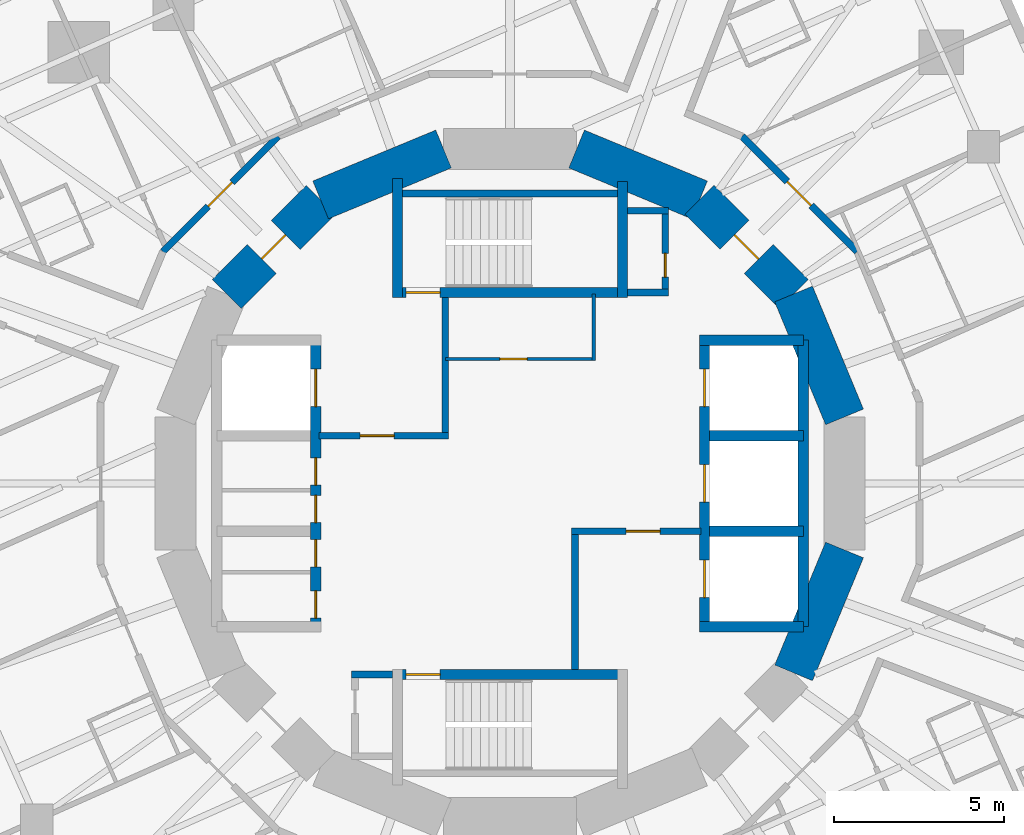
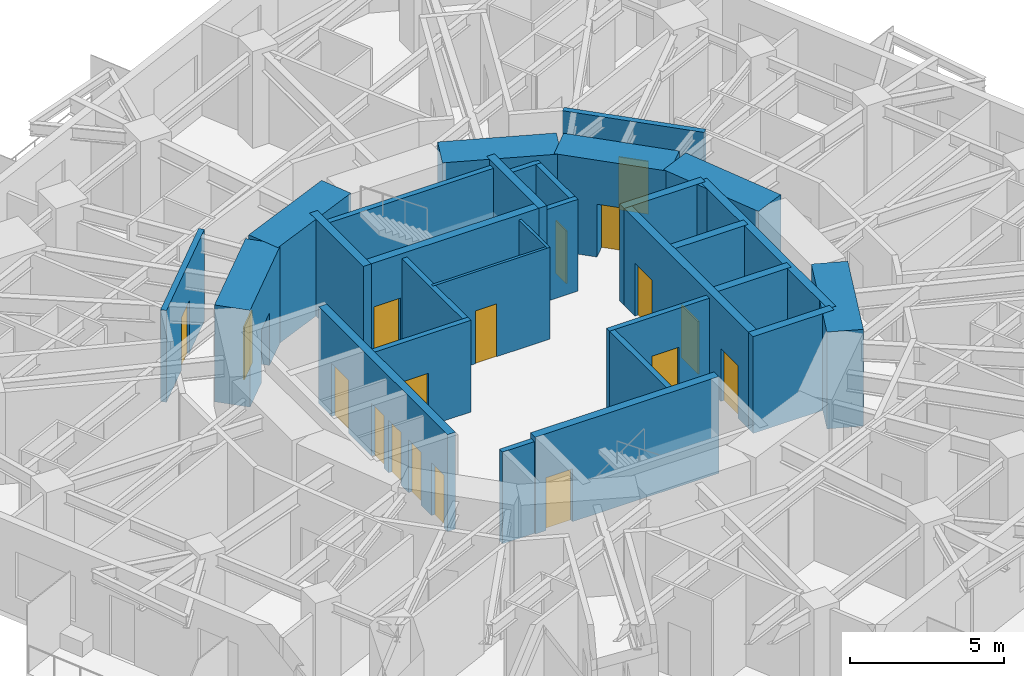
# One storey, part 7 of 12: 30 walls, 18 doors, 18 openings.
"""IFC4 building model written with IfcOpenShell, lengths in metres."""

from ifc_helpers import new_model, si_unit, direction, frame, frame_2d, origin, place, context, subcontext, project, spatial, rectangle, extrude, material, layer, layer_set, type_object, element, fill, save


model = new_model("IFC4")

# Units and contexts
model_context = context("Model", 3, precision=1e-05, world=origin(), true_north=direction((0.0, 1.0)))
body_context = subcontext(model_context, "Body", "Model", "MODEL_VIEW")
ifc_project = project(units=[si_unit("LENGTHUNIT", "METRE"), si_unit("AREAUNIT", "SQUARE_METRE"), si_unit("VOLUMEUNIT", "CUBIC_METRE"), si_unit("PLANEANGLEUNIT", "RADIAN"), si_unit("MASSUNIT", "GRAM", prefix="KILO")], contexts=[model_context])

# Site, building, storey
site_placement = place(None, origin())
site = spatial("IfcSite", under=ifc_project, at=site_placement, CompositionType="ELEMENT")
building_placement = place(site_placement, origin())
building = spatial("IfcBuilding", under=site, at=building_placement, Name="Nakasero Lantern House", CompositionType="ELEMENT")
storey_placement = place(building_placement, frame((0.0, 0.0, 197.85009765625)))
storey = spatial("IfcBuildingStorey", under=building, at=storey_placement, Name="L48", CompositionType="ELEMENT", Elevation=197.85009765625)

# Wall, openings, doors
ifc_material_1 = material(Name="Concrete C50/60", Category="concrete")
ifc_layer_1 = layer(ifc_material_1, 0.300048828125)
ifc_layer_set_1 = layer_set([ifc_layer_1], Name="Core inner wall 300")
wall_type_1 = type_object("IfcWallType", Name="Core inner wall 300", PredefinedType="SHEAR", material=ifc_layer_set_1)
wall_1_placement = place(storey_placement, frame((-5.699951171875, -4.199951171875, 0.0), z_axis=(0.0, 0.0, 1.0), x_axis=(0.0, 1.0, 0.0)))
wall_1 = element("IfcWall", 1, at=wall_1_placement, inside=storey, type_object=wall_type_1, Name="Core inner wall L48 LW", PredefinedType="SHEAR", context=body_context, shape_type="SweptSolid", body=[
    extrude(rectangle(XDim=8.39990234375, YDim=0.300048828125, at=frame_2d((4.199951171875, 0.0))), origin(), (0.0, 0.0, 1.0), 3.849853515625),
])
opening_1_placement = place(wall_1_placement, frame((0.25, 0.0, 0.0)))
opening_1 = element("IfcOpeningElement", 2, at=opening_1_placement, cuts=wall_1, Name="Opening D19", PredefinedType="OPENING", context=body_context, shape_type="SweptSolid", body=[
    extrude(rectangle(XDim=0.800048828125, YDim=2.10009765625, at=frame_2d((0.39990234375, 1.050048828125))), frame((0.0, 0.169921875, 0.0), z_axis=(0.0, -1.0, 0.0), x_axis=(1.0, 0.0, 0.0)), (0.0, 0.0, 1.0), 0.340087890625),
])
opening_2_placement = place(wall_1_placement, frame((1.75, 0.0, 0.0)))
opening_2 = element("IfcOpeningElement", 3, at=opening_2_placement, cuts=wall_1, Name="Opening D15", PredefinedType="OPENING", context=body_context, shape_type="SweptSolid", body=[
    extrude(rectangle(XDim=0.800048828125, YDim=2.10009765625, at=frame_2d((0.39990234375, 1.050048828125))), frame((0.0, 0.169921875, 0.0), z_axis=(0.0, -1.0, 0.0), x_axis=(1.0, 0.0, 0.0)), (0.0, 0.0, 1.0), 0.340087890625),
])
opening_3_placement = place(wall_1_placement, frame((3.050048828125, 0.0, 0.0)))
opening_3 = element("IfcOpeningElement", 4, at=opening_3_placement, cuts=wall_1, Name="Opening D15", PredefinedType="OPENING", context=body_context, shape_type="SweptSolid", body=[
    extrude(rectangle(XDim=0.800048828125, YDim=2.10009765625, at=frame_2d((0.39990234375, 1.050048828125))), frame((0.0, 0.169921875, 0.0), z_axis=(0.0, -1.0, 0.0), x_axis=(1.0, 0.0, 0.0)), (0.0, 0.0, 1.0), 0.340087890625),
])
opening_4_placement = place(wall_1_placement, frame((4.14990234375, 0.0, 0.0)))
opening_4 = element("IfcOpeningElement", 5, at=opening_4_placement, cuts=wall_1, Name="Opening D15", PredefinedType="OPENING", context=body_context, shape_type="SweptSolid", body=[
    extrude(rectangle(XDim=0.800048828125, YDim=2.10009765625, at=frame_2d((0.39990234375, 1.050048828125))), frame((0.0, 0.169921875, 0.0), z_axis=(0.0, -1.0, 0.0), x_axis=(1.0, 0.0, 0.0)), (0.0, 0.0, 1.0), 0.340087890625),
])
opening_5_placement = place(wall_1_placement, frame((6.449951171875, 0.0, 0.0)))
opening_5 = element("IfcOpeningElement", 6, at=opening_5_placement, cuts=wall_1, Name="Opening LD", PredefinedType="OPENING", context=body_context, shape_type="SweptSolid", body=[
    extrude(rectangle(XDim=1.10009765625, YDim=2.10009765625, at=frame_2d((0.550048828125, 1.050048828125))), frame((0.0, 0.169921875, 0.0), z_axis=(0.0, -1.0, 0.0), x_axis=(1.0, 0.0, 0.0)), (0.0, 0.0, 1.0), 0.340087890625),
])
ifc_material_2 = material(Name="Timber C24", Category="wood")
door_type_1 = type_object("IfcDoorType", Name="Cleaner's store door FD30S 800", OperationType="SINGLE_SWING_LEFT", PredefinedType="DOOR", material=ifc_material_2)
door_1_placement = place(opening_2_placement, origin())
door_1 = element("IfcDoor", 7, at=door_1_placement, inside=storey, type_object=door_type_1, Name="Door L48 D-SH-LW1b", OperationType="SINGLE_SWING_LEFT", OverallHeight=2.10009765625, OverallWidth=0.800048828125, PredefinedType="DOOR", context=body_context, shape_type="SweptSolid", body=[
    extrude(rectangle(XDim=0.800048828125, YDim=2.10009765625, at=frame_2d((0.39990234375, 1.050048828125))), frame((0.0, 0.02490234375, 0.0), z_axis=(0.0, -1.0, 0.0), x_axis=(1.0, 0.0, 0.0)), (0.0, 0.0, 1.0), 0.050048828125),
])
fill(opening_2, door_1)
door_2_placement = place(opening_3_placement, origin())
door_2 = element("IfcDoor", 8, at=door_2_placement, inside=storey, type_object=door_type_1, Name="Door L48 D-SH-LW2a", OperationType="SINGLE_SWING_LEFT", OverallHeight=2.10009765625, OverallWidth=0.800048828125, PredefinedType="DOOR", context=body_context, shape_type="SweptSolid", body=[
    extrude(rectangle(XDim=0.800048828125, YDim=2.10009765625, at=frame_2d((0.39990234375, 1.050048828125))), frame((0.0, 0.02490234375, 0.0), z_axis=(0.0, -1.0, 0.0), x_axis=(1.0, 0.0, 0.0)), (0.0, 0.0, 1.0), 0.050048828125),
])
fill(opening_3, door_2)
door_3_placement = place(opening_4_placement, origin())
door_3 = element("IfcDoor", 9, at=door_3_placement, inside=storey, type_object=door_type_1, Name="Door L48 D-SH-LW2b", OperationType="SINGLE_SWING_RIGHT", OverallHeight=2.10009765625, OverallWidth=0.800048828125, PredefinedType="DOOR", context=body_context, shape_type="SweptSolid", body=[
    extrude(rectangle(XDim=0.800048828125, YDim=2.10009765625, at=frame_2d((0.39990234375, 1.050048828125))), frame((0.0, 0.02490234375, 0.0), z_axis=(0.0, -1.0, 0.0), x_axis=(1.0, 0.0, 0.0)), (0.0, 0.0, 1.0), 0.050048828125),
])
fill(opening_4, door_3)
ifc_material_3 = material(Name="Steel S355", Category="steel")
door_type_2 = type_object("IfcDoorType", Name="Lift landing door E120 1100", OperationType="SLIDING_TO_LEFT", PredefinedType="DOOR", material=ifc_material_3)
door_4_placement = place(opening_5_placement, origin())
door_4 = element("IfcDoor", 10, at=door_4_placement, inside=storey, type_object=door_type_2, Name="Lift landing door LW3", OperationType="SLIDING_TO_LEFT", OverallHeight=2.10009765625, OverallWidth=1.10009765625, PredefinedType="DOOR", context=body_context, shape_type="SweptSolid", body=[
    extrude(rectangle(XDim=1.10009765625, YDim=2.10009765625, at=frame_2d((0.550048828125, 1.050048828125))), frame((0.0, 0.02490234375, 0.0), z_axis=(0.0, -1.0, 0.0), x_axis=(1.0, 0.0, 0.0)), (0.0, 0.0, 1.0), 0.050048828125),
])
fill(opening_5, door_4)
ifc_material_4 = material(Name="Steel S355", Category="steel")
door_type_3 = type_object("IfcDoorType", Name="Plant room door FD60 800", OperationType="SINGLE_SWING_LEFT", PredefinedType="DOOR", material=ifc_material_4)
door_5_placement = place(opening_1_placement, origin())
door_5 = element("IfcDoor", 11, at=door_5_placement, inside=storey, type_object=door_type_3, Name="Door L48 D-SH-LW1a", OperationType="SINGLE_SWING_LEFT", OverallHeight=2.10009765625, OverallWidth=0.800048828125, PredefinedType="DOOR", context=body_context, shape_type="SweptSolid", body=[
    extrude(rectangle(XDim=0.800048828125, YDim=2.10009765625, at=frame_2d((0.39990234375, 1.050048828125))), frame((0.0, 0.02490234375, 0.0), z_axis=(0.0, -1.0, 0.0), x_axis=(1.0, 0.0, 0.0)), (0.0, 0.0, 1.0), 0.050048828125),
])
fill(opening_1, door_5)

wall_2_placement = place(storey_placement, frame((5.699951171875, -4.199951171875, 0.0), z_axis=(0.0, 0.0, 1.0), x_axis=(0.0, 1.0, 0.0)))
wall_2 = element("IfcWall", 12, at=wall_2_placement, inside=storey, type_object=wall_type_1, Name="Core inner wall L48 LE", PredefinedType="SHEAR", context=body_context, shape_type="SweptSolid", body=[
    extrude(rectangle(XDim=8.39990234375, YDim=0.300048828125, at=frame_2d((4.199951171875, 0.0))), origin(), (0.0, 0.0, 1.0), 3.849853515625),
])
opening_6_placement = place(wall_2_placement, frame((0.85009765625, 0.0, 0.0)))
opening_6 = element("IfcOpeningElement", 13, at=opening_6_placement, cuts=wall_2, Name="Opening LD", PredefinedType="OPENING", context=body_context, shape_type="SweptSolid", body=[
    extrude(rectangle(XDim=1.10009765625, YDim=2.10009765625, at=frame_2d((0.550048828125, 1.050048828125))), frame((0.0, 0.169921875, 0.0), z_axis=(0.0, -1.0, 0.0), x_axis=(1.0, 0.0, 0.0)), (0.0, 0.0, 1.0), 0.340087890625),
])
opening_7_placement = place(wall_2_placement, frame((3.64990234375, 0.0, 0.0)))
opening_7 = element("IfcOpeningElement", 14, at=opening_7_placement, cuts=wall_2, Name="Opening LD", PredefinedType="OPENING", context=body_context, shape_type="SweptSolid", body=[
    extrude(rectangle(XDim=1.10009765625, YDim=2.10009765625, at=frame_2d((0.550048828125, 1.050048828125))), frame((0.0, 0.169921875, 0.0), z_axis=(0.0, -1.0, 0.0), x_axis=(1.0, 0.0, 0.0)), (0.0, 0.0, 1.0), 0.340087890625),
])
opening_8_placement = place(wall_2_placement, frame((6.449951171875, 0.0, 0.0)))
opening_8 = element("IfcOpeningElement", 15, at=opening_8_placement, cuts=wall_2, Name="Opening LD", PredefinedType="OPENING", context=body_context, shape_type="SweptSolid", body=[
    extrude(rectangle(XDim=1.10009765625, YDim=2.10009765625, at=frame_2d((0.550048828125, 1.050048828125))), frame((0.0, 0.169921875, 0.0), z_axis=(0.0, -1.0, 0.0), x_axis=(1.0, 0.0, 0.0)), (0.0, 0.0, 1.0), 0.340087890625),
])
door_6_placement = place(opening_6_placement, origin())
door_6 = element("IfcDoor", 16, at=door_6_placement, inside=storey, type_object=door_type_2, Name="Lift landing door LE1", OperationType="SLIDING_TO_LEFT", OverallHeight=2.10009765625, OverallWidth=1.10009765625, PredefinedType="DOOR", context=body_context, shape_type="SweptSolid", body=[
    extrude(rectangle(XDim=1.10009765625, YDim=2.10009765625, at=frame_2d((0.550048828125, 1.050048828125))), frame((0.0, 0.02490234375, 0.0), z_axis=(0.0, -1.0, 0.0), x_axis=(1.0, 0.0, 0.0)), (0.0, 0.0, 1.0), 0.050048828125),
])
fill(opening_6, door_6)
door_7_placement = place(opening_7_placement, origin())
door_7 = element("IfcDoor", 17, at=door_7_placement, inside=storey, type_object=door_type_2, Name="Lift landing door LE2", OperationType="SLIDING_TO_LEFT", OverallHeight=2.10009765625, OverallWidth=1.10009765625, PredefinedType="DOOR", context=body_context, shape_type="SweptSolid", body=[
    extrude(rectangle(XDim=1.10009765625, YDim=2.10009765625, at=frame_2d((0.550048828125, 1.050048828125))), frame((0.0, 0.02490234375, 0.0), z_axis=(0.0, -1.0, 0.0), x_axis=(1.0, 0.0, 0.0)), (0.0, 0.0, 1.0), 0.050048828125),
])
fill(opening_7, door_7)
door_8_placement = place(opening_8_placement, origin())
door_8 = element("IfcDoor", 18, at=door_8_placement, inside=storey, type_object=door_type_2, Name="Lift landing door LE3", OperationType="SLIDING_TO_LEFT", OverallHeight=2.10009765625, OverallWidth=1.10009765625, PredefinedType="DOOR", context=body_context, shape_type="SweptSolid", body=[
    extrude(rectangle(XDim=1.10009765625, YDim=2.10009765625, at=frame_2d((0.550048828125, 1.050048828125))), frame((0.0, 0.02490234375, 0.0), z_axis=(0.0, -1.0, 0.0), x_axis=(1.0, 0.0, 0.0)), (0.0, 0.0, 1.0), 0.050048828125),
])
fill(opening_8, door_8)

# Walls
for number, where, z_axis, x_axis, name in (
    (19, (5.550048828125, 4.199951171875, 0.0), (0.0, 0.0, 1.0), (1.0, 0.0, 0.0), "Core inner wall L48 LEN"),
    (20, (5.550048828125, -4.199951171875, 0.0), (0.0, 0.0, 1.0), (1.0, 0.0, 0.0), "Core inner wall L48 LES"),
):
    element("IfcWall", number, at=place(storey_placement, frame(where, z_axis=z_axis, x_axis=x_axis)), inside=storey, type_object=wall_type_1, Name=name, PredefinedType="SHEAR", context=body_context, shape_type="SweptSolid", body=[
        extrude(rectangle(XDim=3.050048828125, YDim=0.300048828125, at=frame_2d((1.52490234375, 0.0))), origin(), (0.0, 0.0, 1.0), 3.849853515625),
    ])
wall_3_placement = place(storey_placement, frame((8.60009765625, -4.199951171875, 0.0), z_axis=(0.0, 0.0, 1.0), x_axis=(0.0, 1.0, 0.0)))
element("IfcWall", 21, at=wall_3_placement, inside=storey, type_object=wall_type_1, Name="Core inner wall L48 LEB", PredefinedType="SHEAR", context=body_context, shape_type="SweptSolid", body=[
    extrude(rectangle(XDim=8.39990234375, YDim=0.300048828125, at=frame_2d((4.199951171875, 0.0))), origin(), (0.0, 0.0, 1.0), 3.849853515625),
])
for number, where, z_axis, x_axis, name in (
    (22, (5.85009765625, -1.39990234375, 0.0), (0.0, 0.0, 1.0), (1.0, 0.0, 0.0), "Core inner wall L48 LE1"),
    (23, (5.85009765625, 1.39990234375, 0.0), (0.0, 0.0, 1.0), (1.0, 0.0, 0.0), "Core inner wall L48 LE2"),
):
    element("IfcWall", number, at=place(storey_placement, frame(where, z_axis=z_axis, x_axis=x_axis)), inside=storey, type_object=wall_type_1, Name=name, PredefinedType="SHEAR", context=body_context, shape_type="SweptSolid", body=[
        extrude(rectangle(XDim=2.75, YDim=0.300048828125, at=frame_2d((1.375, 0.0))), origin(), (0.0, 0.0, 1.0), 3.849853515625),
    ])

# Wall, opening, door
wall_4_placement = place(storey_placement, frame((-3.449951171875, 5.60009765625, 0.0), z_axis=(0.0, 0.0, 1.0), x_axis=(1.0, 0.0, 0.0)))
wall_4 = element("IfcWall", 24, at=wall_4_placement, inside=storey, type_object=wall_type_1, Name="Core inner wall L48 SN", PredefinedType="SHEAR", context=body_context, shape_type="SweptSolid", body=[
    extrude(rectangle(XDim=6.89990234375, YDim=0.300048828125, at=frame_2d((3.449951171875, 0.0))), origin(), (0.0, 0.0, 1.0), 3.849853515625),
])
opening_9_placement = place(wall_4_placement, frame((0.39990234375, 0.0, 0.0)))
opening_9 = element("IfcOpeningElement", 25, at=opening_9_placement, cuts=wall_4, Name="Opening D05", PredefinedType="OPENING", context=body_context, shape_type="SweptSolid", body=[
    extrude(rectangle(XDim=1.0, YDim=2.10009765625, at=frame_2d((0.5, 1.050048828125))), frame((0.0, 0.169921875, 0.0), z_axis=(0.0, -1.0, 0.0), x_axis=(1.0, 0.0, 0.0)), (0.0, 0.0, 1.0), 0.340087890625),
])
ifc_material_5 = material(Name="Timber C24", Category="wood")
door_type_4 = type_object("IfcDoorType", Name="Core door FD60S 1000", OperationType="SINGLE_SWING_LEFT", PredefinedType="DOOR", material=ifc_material_5)
door_9_placement = place(opening_9_placement, origin())
door_9 = element("IfcDoor", 26, at=door_9_placement, inside=storey, type_object=door_type_4, Name="Door L48 D-ST1", OperationType="SINGLE_SWING_LEFT", OverallHeight=2.10009765625, OverallWidth=1.0, PredefinedType="DOOR", context=body_context, shape_type="SweptSolid", body=[
    extrude(rectangle(XDim=1.0, YDim=2.10009765625, at=frame_2d((0.5, 1.050048828125))), frame((0.0, 0.02490234375, 0.0), z_axis=(0.0, -1.0, 0.0), x_axis=(1.0, 0.0, 0.0)), (0.0, 0.0, 1.0), 0.050048828125),
])
fill(opening_9, door_9)

# Walls
wall_5_placement = place(storey_placement, frame((-3.300048828125, 5.449951171875, 0.0), z_axis=(0.0, 0.0, 1.0), x_axis=(0.0, 1.0, 0.0)))
element("IfcWall", 27, at=wall_5_placement, inside=storey, type_object=wall_type_1, Name="Core inner wall L48 SNW", PredefinedType="SHEAR", context=body_context, shape_type="SweptSolid", body=[
    extrude(rectangle(XDim=3.5, YDim=0.300048828125, at=frame_2d((1.75, 0.0))), origin(), (0.0, 0.0, 1.0), 3.849853515625),
])
wall_6_placement = place(storey_placement, frame((3.300048828125, 5.449951171875, 0.0), z_axis=(0.0, 0.0, 1.0), x_axis=(0.0, 1.0, 0.0)))
element("IfcWall", 28, at=wall_6_placement, inside=storey, type_object=wall_type_1, Name="Core inner wall L48 SNE", PredefinedType="SHEAR", context=body_context, shape_type="SweptSolid", body=[
    extrude(rectangle(XDim=3.400146484375, YDim=0.300048828125, at=frame_2d((1.7001953125, 0.0))), origin(), (0.0, 0.0, 1.0), 3.849853515625),
])

# Wall, opening, door
wall_7_placement = place(storey_placement, frame((-3.449951171875, -5.60009765625, 0.0), z_axis=(0.0, 0.0, 1.0), x_axis=(1.0, 0.0, 0.0)))
wall_7 = element("IfcWall", 29, at=wall_7_placement, inside=storey, type_object=wall_type_1, Name="Core inner wall L48 SS", PredefinedType="SHEAR", context=body_context, shape_type="SweptSolid", body=[
    extrude(rectangle(XDim=6.89990234375, YDim=0.300048828125, at=frame_2d((3.449951171875, 0.0))), origin(), (0.0, 0.0, 1.0), 3.849853515625),
])
opening_10_placement = place(wall_7_placement, frame((0.39990234375, 0.0, 0.0)))
opening_10 = element("IfcOpeningElement", 30, at=opening_10_placement, cuts=wall_7, Name="Opening D05", PredefinedType="OPENING", context=body_context, shape_type="SweptSolid", body=[
    extrude(rectangle(XDim=1.0, YDim=2.10009765625, at=frame_2d((0.5, 1.050048828125))), frame((0.0, 0.169921875, 0.0), z_axis=(0.0, -1.0, 0.0), x_axis=(1.0, 0.0, 0.0)), (0.0, 0.0, 1.0), 0.340087890625),
])
door_10_placement = place(opening_10_placement, origin())
door_10 = element("IfcDoor", 31, at=door_10_placement, inside=storey, type_object=door_type_4, Name="Door L48 D-ST2", OperationType="SINGLE_SWING_LEFT", OverallHeight=2.10009765625, OverallWidth=1.0, PredefinedType="DOOR", context=body_context, shape_type="SweptSolid", body=[
    extrude(rectangle(XDim=1.0, YDim=2.10009765625, at=frame_2d((0.5, 1.050048828125))), frame((0.0, 0.02490234375, 0.0), z_axis=(0.0, -1.0, 0.0), x_axis=(1.0, 0.0, 0.0)), (0.0, 0.0, 1.0), 0.050048828125),
])
fill(opening_10, door_10)

ifc_material_6 = material(Name="Blockwork", Category="masonry")
ifc_layer_2 = layer(ifc_material_6, 0.10009765625)
ifc_layer_set_2 = layer_set([ifc_layer_2], Name="Core room wall 100")
wall_type_2 = type_object("IfcWallType", Name="Core room wall 100", PredefinedType="PARTITIONING", material=ifc_layer_set_2)
wall_8_placement = place(storey_placement, frame((-1.89990234375, 3.64990234375, 0.0), z_axis=(0.0, 0.0, 1.0), x_axis=(1.0, 0.0, 0.0)))
wall_8 = element("IfcWall", 32, at=wall_8_placement, inside=storey, type_object=wall_type_2, Name="Core room wall L48 CR-NES", PredefinedType="PARTITIONING", context=body_context, shape_type="SweptSolid", body=[
    extrude(rectangle(XDim=4.39990234375, YDim=0.10009765625, at=frame_2d((2.199951171875, 0.0))), origin(), (0.0, 0.0, 1.0), 3.64990234375),
])
opening_11_placement = place(wall_8_placement, frame((1.60009765625, 0.0, 0.0)))
opening_11 = element("IfcOpeningElement", 33, at=opening_11_placement, cuts=wall_8, Name="Opening D15", PredefinedType="OPENING", context=body_context, shape_type="SweptSolid", body=[
    extrude(rectangle(XDim=0.800048828125, YDim=2.10009765625, at=frame_2d((0.39990234375, 1.050048828125))), frame((0.0, 0.070068359375, 0.0), z_axis=(0.0, -1.0, 0.0), x_axis=(1.0, 0.0, 0.0)), (0.0, 0.0, 1.0), 0.14013671875),
])
door_11_placement = place(opening_11_placement, origin())
door_11 = element("IfcDoor", 34, at=door_11_placement, inside=storey, type_object=door_type_1, Name="Door L48 D-CR-NE", OperationType="SINGLE_SWING_LEFT", OverallHeight=2.10009765625, OverallWidth=0.800048828125, PredefinedType="DOOR", context=body_context, shape_type="SweptSolid", body=[
    extrude(rectangle(XDim=0.800048828125, YDim=2.10009765625, at=frame_2d((0.39990234375, 1.050048828125))), frame((0.0, 0.02490234375, 0.0), z_axis=(0.0, -1.0, 0.0), x_axis=(1.0, 0.0, 0.0)), (0.0, 0.0, 1.0), 0.050048828125),
])
fill(opening_11, door_11)

# Walls
wall_9_placement = place(storey_placement, frame((2.449951171875, 3.60009765625, 0.0), z_axis=(0.0, 0.0, 1.0), x_axis=(0.0, 1.0, 0.0)))
element("IfcWall", 35, at=wall_9_placement, inside=storey, type_object=wall_type_2, Name="Core room wall L48 CR-NEE", PredefinedType="PARTITIONING", context=body_context, shape_type="SweptSolid", body=[
    extrude(rectangle(XDim=1.949951171875, YDim=0.10009765625, at=frame_2d((0.97509765625, 0.0))), origin(), (0.0, 0.0, 1.0), 3.64990234375),
])
ifc_material_7 = material(Name="Concrete C50/60", Category="concrete")
ifc_layer_3 = layer(ifc_material_7, 1.199951171875)
ifc_layer_set_3 = layer_set([ifc_layer_3], Name="Core wall 1200")
wall_type_3 = type_object("IfcWallType", Name="Core wall 1200", PredefinedType="SHEAR", material=ifc_layer_set_3)
wall_10_placement = place(storey_placement, frame((9.807861328125, 1.950927734375, 0.0), z_axis=(0.0, 0.0, 1.0), x_axis=(-0.382690736062, 0.923876507187, 0.0)))
element("IfcWall", 36, at=wall_10_placement, inside=storey, type_object=wall_type_3, Name="Core wall L48 facet 1", PredefinedType="SHEAR", context=body_context, shape_type="SweptSolid", body=[
    extrude(rectangle(XDim=3.90185546875, YDim=1.199951171875, at=frame_2d((1.950927734375, 0.0))), origin(), (0.0, 0.0, 1.0), 3.849853515625),
])

# Wall, opening, door
wall_11_placement = place(storey_placement, frame((8.314697265625, 5.5556640625, 0.0), z_axis=(0.0, 0.0, 1.0), x_axis=(-0.707106781187, 0.707106781187, 0.0)))
wall_11 = element("IfcWall", 37, at=wall_11_placement, inside=storey, type_object=wall_type_3, Name="Core wall L48 facet 2", PredefinedType="SHEAR", context=body_context, shape_type="SweptSolid", body=[
    extrude(rectangle(XDim=3.90185546875, YDim=1.199951171875, at=frame_2d((1.950927734375, 0.0))), origin(), (0.0, 0.0, 1.0), 3.849853515625),
])
opening_12_placement = place(wall_11_placement, frame((1.450927734375, 0.0, 0.0)))
opening_12 = element("IfcOpeningElement", 38, at=opening_12_placement, cuts=wall_11, Name="Opening D05", PredefinedType="OPENING", context=body_context, shape_type="SweptSolid", body=[
    extrude(rectangle(XDim=1.0, YDim=2.10009765625, at=frame_2d((0.5, 1.050048828125))), frame((0.0, 0.619873046875, 0.0), z_axis=(0.0, -1.0, 0.0), x_axis=(1.0, 0.0, 0.0)), (0.0, 0.0, 1.0), 1.239990234375),
])
door_12_placement = place(opening_12_placement, origin())
door_12 = element("IfcDoor", 39, at=door_12_placement, inside=storey, type_object=door_type_4, Name="Door L48 D-CORE02", OperationType="SINGLE_SWING_LEFT", OverallHeight=2.10009765625, OverallWidth=1.0, PredefinedType="DOOR", context=body_context, shape_type="SweptSolid", body=[
    extrude(rectangle(XDim=1.0, YDim=2.10009765625, at=frame_2d((0.5, 1.050048828125))), frame((0.0, 0.02490234375, 0.0), z_axis=(0.0, -1.0, 0.0), x_axis=(1.0, 0.0, 0.0)), (0.0, 0.0, 1.0), 0.050048828125),
])
fill(opening_12, door_12)

# Walls
for number, where, z_axis, x_axis, name in (
    (40, (5.5556640625, 8.314697265625, 0.0), (0.0, 0.0, 1.0), (-0.923876507187, 0.382690736062, 0.0), "Core wall L48 facet 3"),
    (41, (-1.950927734375, 9.807861328125, 0.0), (0.0, 0.0, 1.0), (-0.923876507187, -0.382690736062, 0.0), "Core wall L48 facet 5"),
):
    element("IfcWall", number, at=place(storey_placement, frame(where, z_axis=z_axis, x_axis=x_axis)), inside=storey, type_object=wall_type_3, Name=name, PredefinedType="SHEAR", context=body_context, shape_type="SweptSolid", body=[
        extrude(rectangle(XDim=3.90185546875, YDim=1.199951171875, at=frame_2d((1.950927734375, 0.0))), origin(), (0.0, 0.0, 1.0), 3.849853515625),
    ])

# Wall, opening, door
wall_12_placement = place(storey_placement, frame((-5.5556640625, 8.314697265625, 0.0), z_axis=(0.0, 0.0, 1.0), x_axis=(-0.707106781187, -0.707106781187, 0.0)))
wall_12 = element("IfcWall", 42, at=wall_12_placement, inside=storey, type_object=wall_type_3, Name="Core wall L48 facet 6", PredefinedType="SHEAR", context=body_context, shape_type="SweptSolid", body=[
    extrude(rectangle(XDim=3.90185546875, YDim=1.199951171875, at=frame_2d((1.950927734375, 0.0))), origin(), (0.0, 0.0, 1.0), 3.849853515625),
])
opening_13_placement = place(wall_12_placement, frame((1.450927734375, 0.0, 0.0)))
opening_13 = element("IfcOpeningElement", 43, at=opening_13_placement, cuts=wall_12, Name="Opening D05", PredefinedType="OPENING", context=body_context, shape_type="SweptSolid", body=[
    extrude(rectangle(XDim=1.0, YDim=2.10009765625, at=frame_2d((0.5, 1.050048828125))), frame((0.0, 0.619873046875, 0.0), z_axis=(0.0, -1.0, 0.0), x_axis=(1.0, 0.0, 0.0)), (0.0, 0.0, 1.0), 1.239990234375),
])
door_13_placement = place(opening_13_placement, origin())
door_13 = element("IfcDoor", 44, at=door_13_placement, inside=storey, type_object=door_type_4, Name="Door L48 D-CORE06", OperationType="SINGLE_SWING_LEFT", OverallHeight=2.10009765625, OverallWidth=1.0, PredefinedType="DOOR", context=body_context, shape_type="SweptSolid", body=[
    extrude(rectangle(XDim=1.0, YDim=2.10009765625, at=frame_2d((0.5, 1.050048828125))), frame((0.0, 0.02490234375, 0.0), z_axis=(0.0, -1.0, 0.0), x_axis=(1.0, 0.0, 0.0)), (0.0, 0.0, 1.0), 0.050048828125),
])
fill(opening_13, door_13)

# Wall
wall_13_placement = place(storey_placement, frame((8.314697265625, -5.5556640625, 0.0), z_axis=(0.0, 0.0, 1.0), x_axis=(0.382690736062, 0.923876507187, 0.0)))
element("IfcWall", 45, at=wall_13_placement, inside=storey, type_object=wall_type_3, Name="Core wall L48 facet 15", PredefinedType="SHEAR", context=body_context, shape_type="SweptSolid", body=[
    extrude(rectangle(XDim=3.90185546875, YDim=1.199951171875, at=frame_2d((1.950927734375, 0.0))), origin(), (0.0, 0.0, 1.0), 3.849853515625),
])

# Wall, opening, door
ifc_material_8 = material(Name="Blockwork", Category="masonry")
ifc_layer_4 = layer(ifc_material_8, 0.199951171875)
ifc_layer_set_4 = layer_set([ifc_layer_4], Name="Corridor wall 200")
wall_type_4 = type_object("IfcWallType", Name="Corridor wall 200", PredefinedType="PARTITIONING", material=ifc_layer_set_4)
wall_14_placement = place(storey_placement, frame((-10.1796875, 6.802001953125, 0.0), z_axis=(0.0, 0.0, 1.0), x_axis=(0.707106781187, 0.707106781187, 0.0)))
wall_14 = element("IfcWall", 46, at=wall_14_placement, inside=storey, type_object=wall_type_4, Name="Corridor wall L48 RC10a", PredefinedType="PARTITIONING", context=body_context, shape_type="SweptSolid", body=[
    extrude(rectangle(XDim=4.77685546875, YDim=0.199951171875, at=frame_2d((2.388427734375, 0.0))), origin(), (0.0, 0.0, 1.0), 3.64990234375),
])
opening_14_placement = place(wall_14_placement, frame((1.8701171875, 0.0, 0.0)))
opening_14 = element("IfcOpeningElement", 47, at=opening_14_placement, cuts=wall_14, Name="Opening D14", PredefinedType="OPENING", context=body_context, shape_type="SweptSolid", body=[
    extrude(rectangle(XDim=1.0, YDim=2.10009765625, at=frame_2d((0.5, 1.050048828125))), frame((0.0, 0.119873046875, 0.0), z_axis=(0.0, -1.0, 0.0), x_axis=(1.0, 0.0, 0.0)), (0.0, 0.0, 1.0), 0.239990234375),
])
ifc_material_9 = material(Name="Timber C24", Category="wood")
door_type_5 = type_object("IfcDoorType", Name="Cluster entrance door FD30S 1000", OperationType="SINGLE_SWING_LEFT", PredefinedType="DOOR", material=ifc_material_9)
door_14_placement = place(opening_14_placement, origin())
door_14 = element("IfcDoor", 48, at=door_14_placement, inside=storey, type_object=door_type_5, Name="Door L48 D1-04", OperationType="SINGLE_SWING_LEFT", OverallHeight=2.10009765625, OverallWidth=1.0, PredefinedType="DOOR", context=body_context, shape_type="SweptSolid", body=[
    extrude(rectangle(XDim=1.0, YDim=2.10009765625, at=frame_2d((0.5, 1.050048828125))), frame((0.0, 0.02490234375, 0.0), z_axis=(0.0, -1.0, 0.0), x_axis=(1.0, 0.0, 0.0)), (0.0, 0.0, 1.0), 0.050048828125),
])
fill(opening_14, door_14)

wall_15_placement = place(storey_placement, frame((6.802001953125, 10.1796875, 0.0), z_axis=(0.0, 0.0, 1.0), x_axis=(0.707106781187, -0.707106781187, 0.0)))
wall_15 = element("IfcWall", 49, at=wall_15_placement, inside=storey, type_object=wall_type_4, Name="Corridor wall L48 RC14a", PredefinedType="PARTITIONING", context=body_context, shape_type="SweptSolid", body=[
    extrude(rectangle(XDim=4.77685546875, YDim=0.199951171875, at=frame_2d((2.388427734375, 0.0))), origin(), (0.0, 0.0, 1.0), 3.64990234375),
])
opening_15_placement = place(wall_15_placement, frame((1.8701171875, 0.0, 0.0)))
opening_15 = element("IfcOpeningElement", 50, at=opening_15_placement, cuts=wall_15, Name="Opening D14", PredefinedType="OPENING", context=body_context, shape_type="SweptSolid", body=[
    extrude(rectangle(XDim=1.0, YDim=2.10009765625, at=frame_2d((0.5, 1.050048828125))), frame((0.0, 0.119873046875, 0.0), z_axis=(0.0, -1.0, 0.0), x_axis=(1.0, 0.0, 0.0)), (0.0, 0.0, 1.0), 0.239990234375),
])
door_15_placement = place(opening_15_placement, origin())
door_15 = element("IfcDoor", 51, at=door_15_placement, inside=storey, type_object=door_type_5, Name="Door L48 D0-04", OperationType="SINGLE_SWING_LEFT", OverallHeight=2.10009765625, OverallWidth=1.0, PredefinedType="DOOR", context=body_context, shape_type="SweptSolid", body=[
    extrude(rectangle(XDim=1.0, YDim=2.10009765625, at=frame_2d((0.5, 1.050048828125))), frame((0.0, 0.02490234375, 0.0), z_axis=(0.0, -1.0, 0.0), x_axis=(1.0, 0.0, 0.0)), (0.0, 0.0, 1.0), 0.050048828125),
])
fill(opening_15, door_15)

ifc_material_10 = material(Name="Blockwork", Category="masonry")
ifc_layer_5 = layer(ifc_material_10, 0.199951171875)
ifc_layer_set_5 = layer_set([ifc_layer_5], Name="Fire lobby wall 200")
wall_type_5 = type_object("IfcWallType", Name="Fire lobby wall 200", PredefinedType="PARTITIONING", material=ifc_layer_set_5)
wall_16_placement = place(storey_placement, frame((-5.60009765625, 1.39990234375, 0.0), z_axis=(0.0, 0.0, 1.0), x_axis=(1.0, 0.0, 0.0)))
wall_16 = element("IfcWall", 52, at=wall_16_placement, inside=storey, type_object=wall_type_5, Name="Fire lobby wall L48 W-FL1S", PredefinedType="PARTITIONING", context=body_context, shape_type="SweptSolid", body=[
    extrude(rectangle(XDim=3.800048828125, YDim=0.199951171875, at=frame_2d((1.89990234375, 0.0))), origin(), (0.0, 0.0, 1.0), 3.64990234375),
])
opening_16_placement = place(wall_16_placement, frame((1.199951171875, 0.0, 0.0)))
opening_16 = element("IfcOpeningElement", 53, at=opening_16_placement, cuts=wall_16, Name="Opening D05", PredefinedType="OPENING", context=body_context, shape_type="SweptSolid", body=[
    extrude(rectangle(XDim=1.0, YDim=2.10009765625, at=frame_2d((0.5, 1.050048828125))), frame((0.0, 0.119873046875, 0.0), z_axis=(0.0, -1.0, 0.0), x_axis=(1.0, 0.0, 0.0)), (0.0, 0.0, 1.0), 0.239990234375),
])
door_16_placement = place(opening_16_placement, origin())
door_16 = element("IfcDoor", 54, at=door_16_placement, inside=storey, type_object=door_type_4, Name="Door L48 D-FL1", OperationType="SINGLE_SWING_LEFT", OverallHeight=2.10009765625, OverallWidth=1.0, PredefinedType="DOOR", context=body_context, shape_type="SweptSolid", body=[
    extrude(rectangle(XDim=1.0, YDim=2.10009765625, at=frame_2d((0.5, 1.050048828125))), frame((0.0, 0.02490234375, 0.0), z_axis=(0.0, -1.0, 0.0), x_axis=(1.0, 0.0, 0.0)), (0.0, 0.0, 1.0), 0.050048828125),
])
fill(opening_16, door_16)

# Wall
wall_17_placement = place(storey_placement, frame((-1.89990234375, 1.5, 0.0), z_axis=(0.0, 0.0, 1.0), x_axis=(0.0, 1.0, 0.0)))
element("IfcWall", 55, at=wall_17_placement, inside=storey, type_object=wall_type_5, Name="Fire lobby wall L48 W-FL1E", PredefinedType="PARTITIONING", context=body_context, shape_type="SweptSolid", body=[
    extrude(rectangle(XDim=3.949951171875, YDim=0.199951171875, at=frame_2d((1.97509765625, 0.0))), origin(), (0.0, 0.0, 1.0), 3.64990234375),
])

# Wall, opening, door
wall_18_placement = place(storey_placement, frame((5.60009765625, -1.39990234375, 0.0), z_axis=(0.0, 0.0, 1.0), x_axis=(-1.0, 0.0, 0.0)))
wall_18 = element("IfcWall", 56, at=wall_18_placement, inside=storey, type_object=wall_type_5, Name="Fire lobby wall L48 W-FL2N", PredefinedType="PARTITIONING", context=body_context, shape_type="SweptSolid", body=[
    extrude(rectangle(XDim=3.800048828125, YDim=0.199951171875, at=frame_2d((1.89990234375, 0.0))), origin(), (0.0, 0.0, 1.0), 3.64990234375),
])
opening_17_placement = place(wall_18_placement, frame((1.199951171875, 0.0, 0.0)))
opening_17 = element("IfcOpeningElement", 57, at=opening_17_placement, cuts=wall_18, Name="Opening D05", PredefinedType="OPENING", context=body_context, shape_type="SweptSolid", body=[
    extrude(rectangle(XDim=1.0, YDim=2.10009765625, at=frame_2d((0.5, 1.050048828125))), frame((0.0, 0.119873046875, 0.0), z_axis=(0.0, -1.0, 0.0), x_axis=(1.0, 0.0, 0.0)), (0.0, 0.0, 1.0), 0.239990234375),
])
door_17_placement = place(opening_17_placement, origin())
door_17 = element("IfcDoor", 58, at=door_17_placement, inside=storey, type_object=door_type_4, Name="Door L48 D-FL2", OperationType="SINGLE_SWING_LEFT", OverallHeight=2.10009765625, OverallWidth=1.0, PredefinedType="DOOR", context=body_context, shape_type="SweptSolid", body=[
    extrude(rectangle(XDim=1.0, YDim=2.10009765625, at=frame_2d((0.5, 1.050048828125))), frame((0.0, 0.02490234375, 0.0), z_axis=(0.0, -1.0, 0.0), x_axis=(1.0, 0.0, 0.0)), (0.0, 0.0, 1.0), 0.050048828125),
])
fill(opening_17, door_17)

# Wall
wall_19_placement = place(storey_placement, frame((1.89990234375, -1.5, 0.0), z_axis=(0.0, 0.0, 1.0), x_axis=(0.0, -1.0, 0.0)))
element("IfcWall", 59, at=wall_19_placement, inside=storey, type_object=wall_type_5, Name="Fire lobby wall L48 W-FL2W", PredefinedType="PARTITIONING", context=body_context, shape_type="SweptSolid", body=[
    extrude(rectangle(XDim=3.949951171875, YDim=0.199951171875, at=frame_2d((1.97509765625, 0.0))), origin(), (0.0, 0.0, 1.0), 3.64990234375),
])

# Wall, opening, door
wall_20_placement = place(storey_placement, frame((4.550048828125, 5.60009765625, 0.0), z_axis=(0.0, 0.0, 1.0), x_axis=(0.0, 1.0, 0.0)))
wall_20 = element("IfcWall", 60, at=wall_20_placement, inside=storey, type_object=wall_type_5, Name="Fire lobby wall L48 W-RS1E", PredefinedType="PARTITIONING", context=body_context, shape_type="SweptSolid", body=[
    extrude(rectangle(XDim=2.39990234375, YDim=0.199951171875, at=frame_2d((1.199951171875, 0.0))), origin(), (0.0, 0.0, 1.0), 3.64990234375),
])
opening_18_placement = place(wall_20_placement, frame((0.449951171875, 0.0, 0.0)))
opening_18 = element("IfcOpeningElement", 61, at=opening_18_placement, cuts=wall_20, Name="Opening D06", PredefinedType="OPENING", context=body_context, shape_type="SweptSolid", body=[
    extrude(rectangle(XDim=0.699951171875, YDim=2.10009765625, at=frame_2d((0.35009765625, 1.050048828125))), frame((0.0, 0.119873046875, 0.0), z_axis=(0.0, -1.0, 0.0), x_axis=(1.0, 0.0, 0.0)), (0.0, 0.0, 1.0), 0.239990234375),
])
ifc_material_11 = material(Name="Steel S355", Category="steel")
door_type_6 = type_object("IfcDoorType", Name="Riser door FD60 700", OperationType="SINGLE_SWING_LEFT", PredefinedType="DOOR", material=ifc_material_11)
door_18_placement = place(opening_18_placement, origin())
door_18 = element("IfcDoor", 62, at=door_18_placement, inside=storey, type_object=door_type_6, Name="Door L48 D-RS1", OperationType="SINGLE_SWING_LEFT", OverallHeight=2.10009765625, OverallWidth=0.699951171875, PredefinedType="DOOR", context=body_context, shape_type="SweptSolid", body=[
    extrude(rectangle(XDim=0.699951171875, YDim=2.10009765625, at=frame_2d((0.35009765625, 1.050048828125))), frame((0.0, 0.02490234375, 0.0), z_axis=(0.0, -1.0, 0.0), x_axis=(1.0, 0.0, 0.0)), (0.0, 0.0, 1.0), 0.050048828125),
])
fill(opening_18, door_18)

# Walls
for number, where, z_axis, x_axis, name in (
    (63, (3.449951171875, 8.0, 0.0), (0.0, 0.0, 1.0), (1.0, 0.0, 0.0), "Fire lobby wall L48 W-RS1N"),
    (64, (3.449951171875, 5.60009765625, 0.0), (0.0, 0.0, 1.0), (1.0, 0.0, 0.0), "Fire lobby wall L48 W-RS1S"),
    (65, (-3.449951171875, -5.60009765625, 0.0), (0.0, 0.0, 1.0), (-1.0, 0.0, 0.0), "Fire lobby wall L48 W-RS2N"),
):
    element("IfcWall", number, at=place(storey_placement, frame(where, z_axis=z_axis, x_axis=x_axis)), inside=storey, type_object=wall_type_5, Name=name, PredefinedType="PARTITIONING", context=body_context, shape_type="SweptSolid", body=[
        extrude(rectangle(XDim=1.199951171875, YDim=0.199951171875, at=frame_2d((0.60009765625, 0.0))), origin(), (0.0, 0.0, 1.0), 3.64990234375),
    ])
wall_21_placement = place(storey_placement, frame((-3.300048828125, 8.5, 0.0), z_axis=(0.0, 0.0, 1.0), x_axis=(1.0, 0.0, 0.0)))
element("IfcWall", 66, at=wall_21_placement, inside=storey, type_object=wall_type_5, Name="Fire lobby wall L48 W-STN", PredefinedType="PARTITIONING", context=body_context, shape_type="SweptSolid", body=[
    extrude(rectangle(XDim=6.60009765625, YDim=0.199951171875, at=frame_2d((3.300048828125, 0.0))), origin(), (0.0, 0.0, 1.0), 3.64990234375),
])

save(model, "model.ifc")
